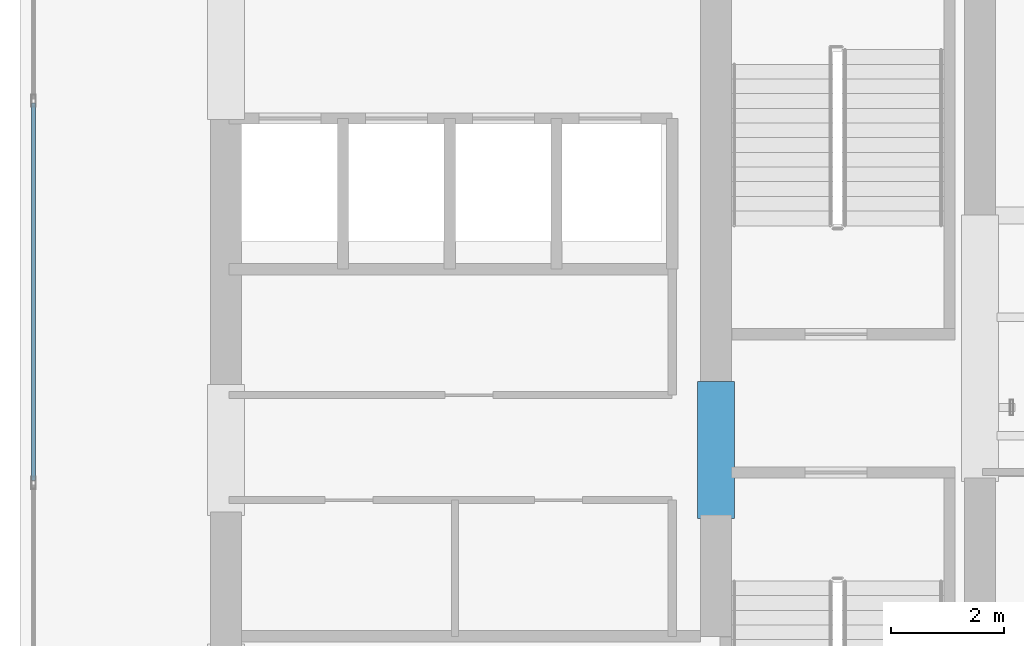
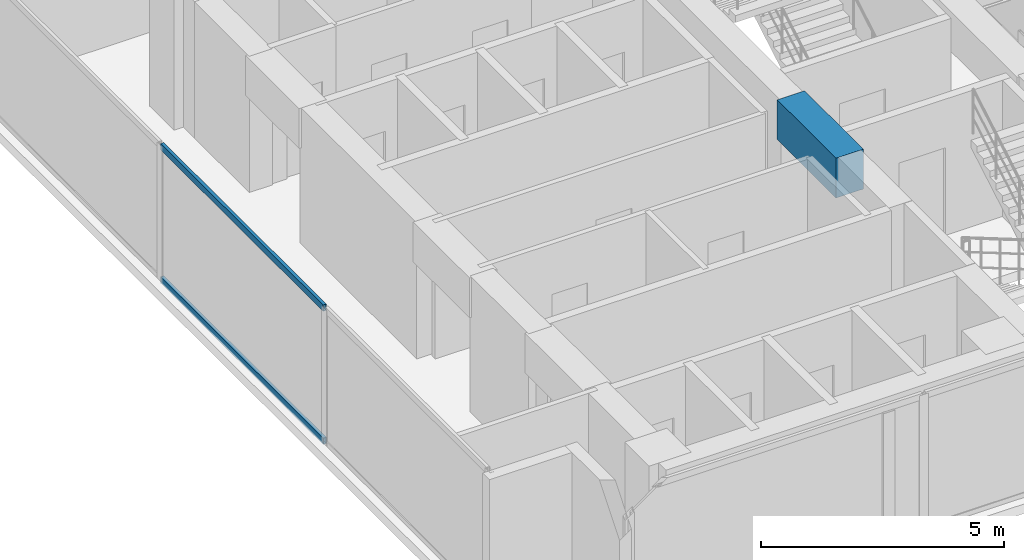
# One storey, part 3 of 24: 2 members, 1 beam, 1 element without a shape of its own.
"""IFC4 building model written with IfcOpenShell, lengths in metres."""

from ifc_helpers import new_model, si_unit, direction, frame, origin, origin_with_axes, origin_2d, place, context, subcontext, project, spatial, rectangle, hollow_rectangle, extrude, source, transform, mapped, material, layer, layer_set, material_profile, profile_set, type_object, element, aggregate, save


model = new_model("IFC4")

# Units and contexts
model_context = context("Model", 3, precision=1e-05, world=origin(), true_north=direction((0.0, 1.0)))
body_context = subcontext(model_context, "Body", "Model", "MODEL_VIEW")
ifc_project = project(units=[si_unit("LENGTHUNIT", "METRE"), si_unit("AREAUNIT", "SQUARE_METRE"), si_unit("VOLUMEUNIT", "CUBIC_METRE"), si_unit("PLANEANGLEUNIT", "RADIAN"), si_unit("MASSUNIT", "GRAM", prefix="KILO")], contexts=[model_context])

# Site, building, storey
site_placement = place(None, origin())
site = spatial("IfcSite", under=ifc_project, at=site_placement, CompositionType="ELEMENT")
building_placement = place(site_placement, origin())
building = spatial("IfcBuilding", under=site, at=building_placement, Name="Kolvaren Waterfront Exchange", CompositionType="ELEMENT")
storey_placement = place(building_placement, frame((0.0, 0.0, 253.89990234375)))
storey = spatial("IfcBuildingStorey", under=building, at=storey_placement, Name="L65", CompositionType="ELEMENT", Elevation=253.89990234375)

# Beam
ifc_material_1 = material(Name="Concrete C60/75", Category="concrete")
ifc_material_profile_1 = material_profile(ifc_material_1, rectangle(XDim=0.64990234375, YDim=1.0, at=origin_2d()), Name="RC-CB-1000x650")
ifc_profile_set_1 = profile_set([ifc_material_profile_1], Name="Concrete C60/75")
beam_type = type_object("IfcBeamType", Name="STR-CB-1000", PredefinedType="SPANDREL", material=ifc_profile_set_1)
beam_placement = place(storey_placement, frame((16.125, 12.0400390625, 2.920166015625), z_axis=(0.0, 1.0, 0.0), x_axis=(-1.0, 0.0, 0.0)))
element("IfcBeam", 1, at=beam_placement, inside=storey, type_object=beam_type, Name="L65 core coupling beam 6", PredefinedType="SPANDREL", context=body_context, shape_type="SweptSolid", body=[
    extrude(rectangle(XDim=0.64990234375, YDim=1.0, at=origin_2d()), origin(), (0.0, 0.0, 1.0), 2.419921875),
])

# Curtain wall, members
ifc_material_2 = material(Name="Anodised aluminium 6063-T6", Category="aluminium")
ifc_layer = layer(ifc_material_2, 0.219970703125, Name="Anodised aluminium 6063-T6")
ifc_layer_set = layer_set([ifc_layer], Name="Anodised aluminium 6063-T6")
curtain_wall_type = type_object("IfcCurtainWallType", Name="ARC-CW-SYS2", PredefinedType="USERDEFINED", material=ifc_layer_set)
curtain_wall_placement = place(storey_placement, origin())
curtain_wall = element("IfcCurtainWall", 2, at=curtain_wall_placement, inside=storey, type_object=curtain_wall_type, Name="L65 stick curtain wall CW2 (CW-L65-W)", ObjectType="STICK CURTAIN WALL", PredefinedType="USERDEFINED")
ifc_material_profile_2 = material_profile(ifc_material_2, hollow_rectangle(XDim=0.074951171875, YDim=0.159912109375, WallThickness=0.00439453125, at=origin_2d()), Name="ALU-TRN-160x75x4.5")
ifc_profile_set_2 = profile_set([ifc_material_profile_2], Name="Anodised aluminium 6063-T6")
member_type = type_object("IfcMemberType", Name="ARC-CWT-160", PredefinedType="USERDEFINED", material=ifc_profile_set_2)
shared_shape = source(origin_with_axes(), body_context, "Body", "SweptSolid", [
    extrude(hollow_rectangle(XDim=0.074951171875, YDim=0.159912109375, WallThickness=0.00439453125, at=origin_2d()), origin(), (0.0, 0.0, 1.0), 6.6865234375),
])
member_1_placement = place(storey_placement, frame((4.0400390625, 12.706787109375, 0.03759765625), z_axis=(0.0, 1.0, 0.0), x_axis=(-1.0, 0.0, 0.0)))
member_1 = element("IfcMember", 3, at=member_1_placement, type_object=member_type, Name="CW2 transom 2.1", ObjectType="TRANSOM", PredefinedType="USERDEFINED", context=body_context, shape_type="MappedRepresentation", body=[
    mapped(shared_shape, transform((0.0, 0.0, 0.0), x_axis=(1.0, 0.0, 0.0), y_axis=(0.0, 1.0, 0.0), z_axis=(0.0, 0.0, 1.0), scale=1.0)),
])
member_2_placement = place(storey_placement, frame((4.0400390625, 12.706787109375, 3.382568359375), z_axis=(0.0, 1.0, 0.0), x_axis=(-1.0, 0.0, 0.0)))
member_2 = element("IfcMember", 4, at=member_2_placement, type_object=member_type, Name="CW2 transom 2.2", ObjectType="TRANSOM", PredefinedType="USERDEFINED", context=body_context, shape_type="MappedRepresentation", body=[
    mapped(shared_shape, transform((0.0, 0.0, 0.0), x_axis=(1.0, 0.0, 0.0), y_axis=(0.0, 1.0, 0.0), z_axis=(0.0, 0.0, 1.0), scale=1.0)),
])
aggregate(curtain_wall, [member_1, member_2])

save(model, "model.ifc")
